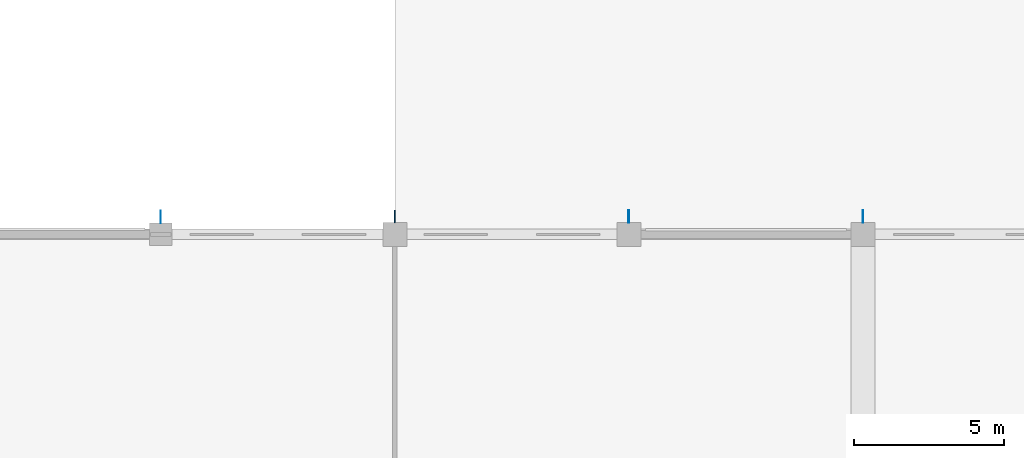
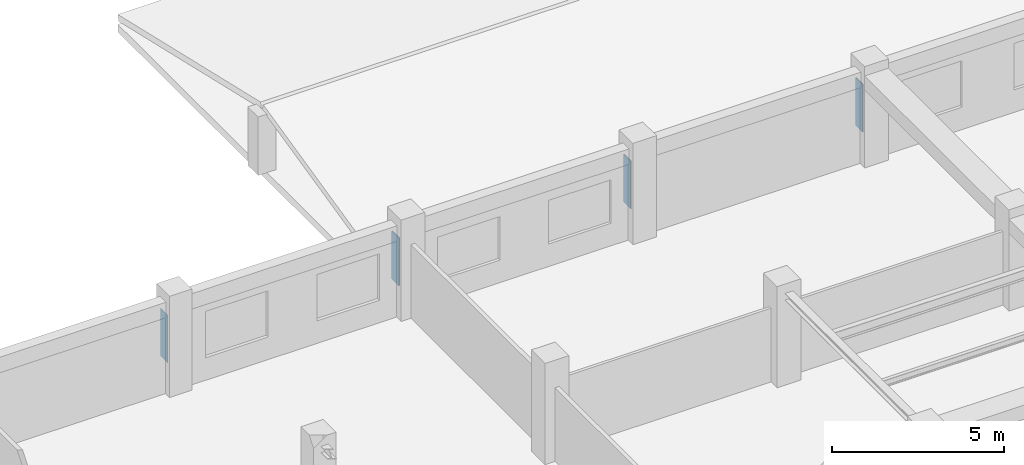
# One storey, part 31 of 50: 4 plates.
"""IFC4 building model written with IfcOpenShell, lengths in metres."""

from ifc_helpers import new_model, si_unit, direction, frame, origin, origin_2d, place, context, subcontext, project, spatial, rectangle, extrude, material, layer, layer_set, type_object, element, save


model = new_model("IFC4")

# Units and contexts
model_context = context("Model", 3, precision=1e-05, world=origin(), true_north=direction((0.0, 1.0)))
body_context = subcontext(model_context, "Body", "Model", "MODEL_VIEW")
ifc_project = project(units=[si_unit("LENGTHUNIT", "METRE"), si_unit("AREAUNIT", "SQUARE_METRE"), si_unit("VOLUMEUNIT", "CUBIC_METRE"), si_unit("PLANEANGLEUNIT", "RADIAN"), si_unit("MASSUNIT", "GRAM", prefix="KILO"), si_unit("THERMODYNAMICTEMPERATUREUNIT", "KELVIN"), si_unit("POWERUNIT", "WATT")], contexts=[model_context])

# Site, building, storey
site_placement = place(None, origin())
site = spatial("IfcSite", under=ifc_project, at=site_placement, CompositionType="ELEMENT")
building_placement = place(site_placement, origin())
building = spatial("IfcBuilding", under=site, at=building_placement, Name="Srebrne Nadtorze General Hospital", CompositionType="ELEMENT")
storey_placement = place(building_placement, frame((0.0, 0.0, 14.39990234375)))
storey = spatial("IfcBuildingStorey", under=building, at=storey_placement, Name="L03", CompositionType="ELEMENT", Elevation=14.39990234375)

# Plates
ifc_material_1 = material(Name="Steel S355J2", Category="steel")
ifc_layer_1 = layer(ifc_material_1, 0.011962890625)
ifc_layer_set_1 = layer_set([ifc_layer_1], Name="Steel S355J2")
plate_type_1 = type_object("IfcPlateType", Name="Steel bearing plate 12", PredefinedType="SHEET", material=ifc_layer_set_1)
plate_1_placement = place(storey_placement, frame((93.60009765625, 92.97509765625, 0.64990234375), z_axis=(0.0, 0.0, 1.0), x_axis=(1.0, 0.0, 0.0)))
element("IfcPlate", 1, at=plate_1_placement, inside=storey, type_object=plate_type_1, Name="Steel connection gusset plate 10", PredefinedType="SHEET", context=body_context, shape_type="SweptSolid", body=[
    extrude(rectangle(XDim=0.011962890625, YDim=0.419921875, at=origin_2d()), origin(), (0.0, 0.0, 1.0), 1.699951171875),
])
ifc_material_2 = material(Name="Steel S355J2", Category="steel")
ifc_layer_2 = layer(ifc_material_2, 0.02490234375)
ifc_layer_set_2 = layer_set([ifc_layer_2], Name="Steel S355J2")
plate_type_2 = type_object("IfcPlateType", Name="Steel gusset plate 25", PredefinedType="SHEET", material=ifc_layer_set_2)
plate_2_placement = place(storey_placement, frame((117.0, 93.0, 0.64990234375), z_axis=(0.0, 0.0, 1.0), x_axis=(1.0, 0.0, 0.0)))
element("IfcPlate", 2, at=plate_2_placement, inside=storey, type_object=plate_type_2, Name="Steel connection gusset plate 13", PredefinedType="SHEET", context=body_context, shape_type="SweptSolid", body=[
    extrude(rectangle(XDim=0.02490234375, YDim=0.419921875, at=origin_2d()), origin(), (0.0, 0.0, 1.0), 1.699951171875),
])
ifc_material_3 = material(Name="Steel S355J2", Category="steel")
ifc_layer_3 = layer(ifc_material_3, 0.031982421875)
ifc_layer_set_3 = layer_set([ifc_layer_3], Name="Steel S355J2")
plate_type_3 = type_object("IfcPlateType", Name="Steel gusset plate 32", PredefinedType="SHEET", material=ifc_layer_set_3)
plate_3_placement = place(storey_placement, frame((109.199951171875, 93.0, 0.64990234375), z_axis=(0.0, 0.0, 1.0), x_axis=(1.0, 0.0, 0.0)))
element("IfcPlate", 3, at=plate_3_placement, inside=storey, type_object=plate_type_3, Name="Steel connection gusset plate 12", PredefinedType="SHEET", context=body_context, shape_type="SweptSolid", body=[
    extrude(rectangle(XDim=0.031982421875, YDim=0.419921875, at=origin_2d()), origin(), (0.0, 0.0, 1.0), 1.699951171875),
])
ifc_material_4 = material(Name="Steel S355J2", Category="steel")
ifc_layer_4 = layer(ifc_material_4, 0.0400390625)
ifc_layer_set_4 = layer_set([ifc_layer_4], Name="Steel S355J2")
plate_type_4 = type_object("IfcPlateType", Name="Steel gusset plate 40", PredefinedType="SHEET", material=ifc_layer_set_4)
plate_4_placement = place(storey_placement, frame((101.39990234375, 93.0, 0.64990234375), z_axis=(0.0, 0.0, 1.0), x_axis=(1.0, 0.0, 0.0)))
element("IfcPlate", 4, at=plate_4_placement, inside=storey, type_object=plate_type_4, Name="Steel connection gusset plate 11", PredefinedType="SHEET", context=body_context, shape_type="SweptSolid", body=[
    extrude(rectangle(XDim=0.0400390625, YDim=0.419921875, at=origin_2d()), origin(), (0.0, 0.0, 1.0), 1.699951171875),
])

save(model, "model.ifc")
